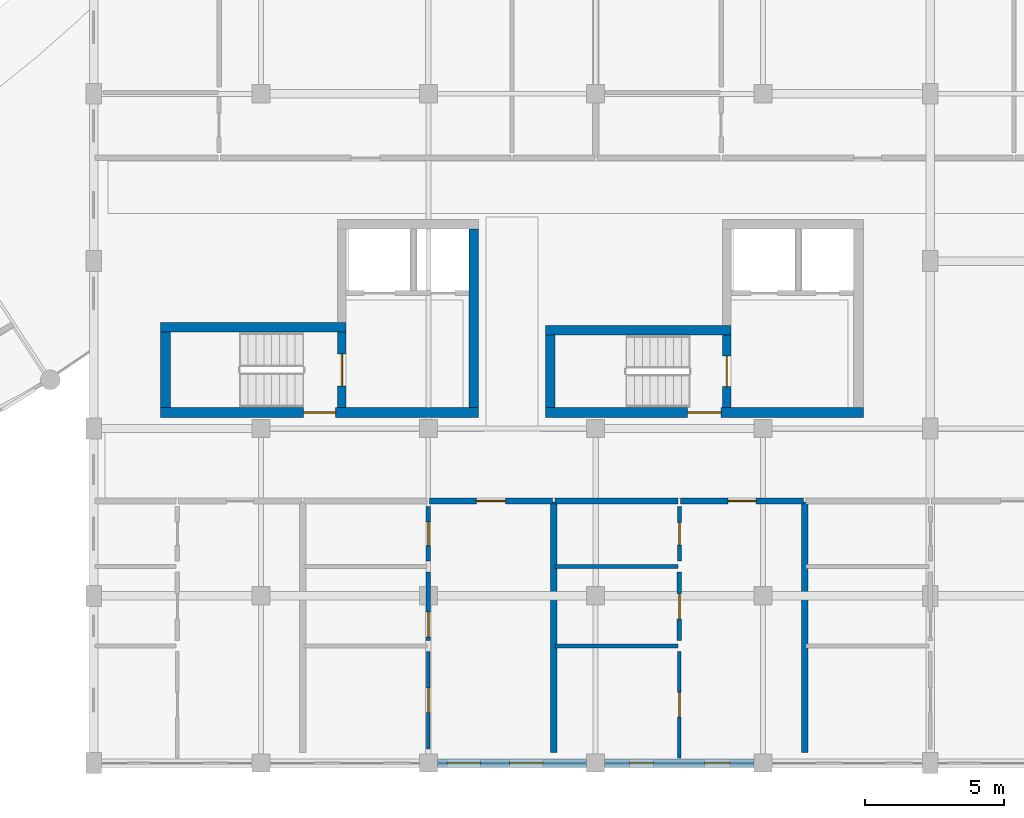
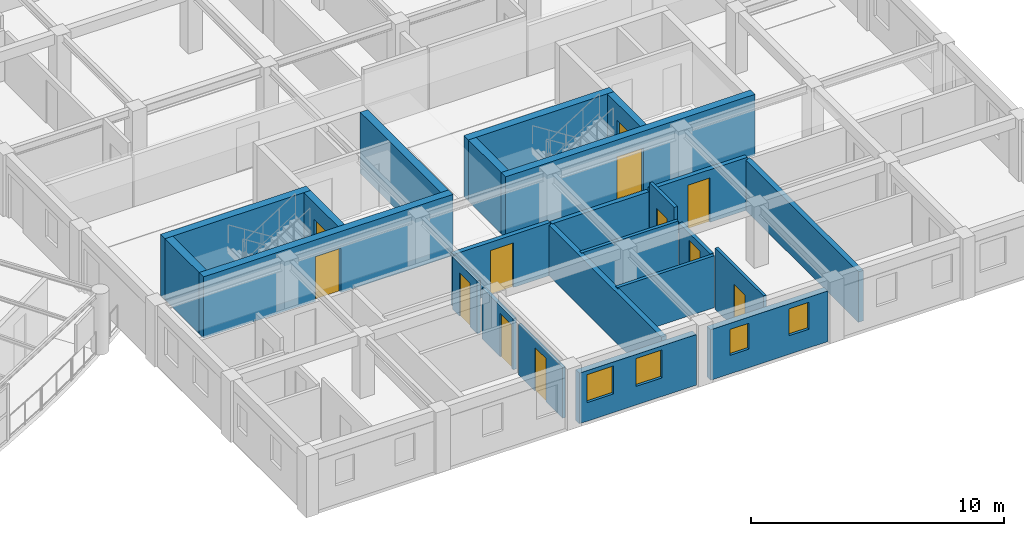
# One storey, part 64 of 100: 24 walls, 12 doors, 4 windows, 16 openings.
"""IFC4 building model written with IfcOpenShell, lengths in metres."""

from ifc_helpers import new_model, si_unit, direction, frame, frame_2d, origin, place, context, subcontext, project, spatial, rectangle, extrude, material, layer, layer_set, type_object, element, fill, save


model = new_model("IFC4")

# Units and contexts
model_context = context("Model", 3, precision=1e-05, world=origin(), true_north=direction((0.0, 1.0)))
body_context = subcontext(model_context, "Body", "Model", "MODEL_VIEW")
ifc_project = project(units=[si_unit("LENGTHUNIT", "METRE"), si_unit("AREAUNIT", "SQUARE_METRE"), si_unit("VOLUMEUNIT", "CUBIC_METRE"), si_unit("PLANEANGLEUNIT", "RADIAN"), si_unit("MASSUNIT", "GRAM", prefix="KILO"), si_unit("POWERUNIT", "WATT"), si_unit("THERMODYNAMICTEMPERATUREUNIT", "KELVIN")], contexts=[model_context])

# Site, building, storey
site_placement = place(None, origin())
site = spatial("IfcSite", under=ifc_project, at=site_placement, CompositionType="ELEMENT")
building_placement = place(site_placement, origin())
building = spatial("IfcBuilding", under=site, at=building_placement, Name="Ruvembo Vaulted Housing Court", CompositionType="ELEMENT")
storey_placement = place(building_placement, frame((0.0, 0.0, 10.89990234375)))
storey = spatial("IfcBuildingStorey", under=building, at=storey_placement, Name="L03", CompositionType="ELEMENT", Elevation=10.89990234375)

# Wall, opening, door
ifc_material_1 = material(Name="Concrete C35/45", Category="concrete")
ifc_layer_1 = layer(ifc_material_1, 0.300048828125, Name="Concrete C35/45")
ifc_layer_set_1 = layer_set([ifc_layer_1], Name="Concrete C35/45")
wall_type_1 = type_object("IfcWallType", Name="WL-CORE-300", PredefinedType="SHEAR", material=ifc_layer_set_1)
wall_1_placement = place(storey_placement, frame((110.89990234375, 12.75, 0.0), z_axis=(0.0, 0.0, 1.0), x_axis=(0.0, 1.0, 0.0)))
wall_1 = element("IfcWall", 1, at=wall_1_placement, inside=storey, type_object=wall_type_1, Name="Core C1 L03 Stair-Lobby Shear Wall", PredefinedType="SHEAR", context=body_context, shape_type="SweptSolid", body=[
    extrude(rectangle(XDim=2.699951171875, YDim=0.300048828125, at=frame_2d((1.35009765625, 0.0))), origin(), (0.0, 0.0, 1.0), 2.960205078125),
])
opening_1_placement = place(wall_1_placement, frame((0.77490234375, 0.0, 0.0)))
opening_1 = element("IfcOpeningElement", 2, at=opening_1_placement, cuts=wall_1, Name="Opening SD1", PredefinedType="OPENING", context=body_context, shape_type="SweptSolid", body=[
    extrude(rectangle(XDim=1.14990234375, YDim=2.14990234375, at=frame_2d((0.574951171875, 1.074951171875))), frame((0.0, 0.159912109375, 0.0), z_axis=(0.0, -1.0, 0.0), x_axis=(1.0, 0.0, 0.0)), (0.0, 0.0, 1.0), 0.320068359375),
])
ifc_material_2 = material(Name="Galvanised Painted Steel", Category="steel")
door_type_1 = type_object("IfcDoorType", Name="DR-STAIR-1150x2150", OperationType="NOTDEFINED", PredefinedType="DOOR", material=ifc_material_2)
door_1_placement = place(opening_1_placement, origin())
door_1 = element("IfcDoor", 3, at=door_1_placement, inside=storey, type_object=door_type_1, Name="Stair ST-C1 L03 Fire Door", OperationType="SINGLE_SWING_RIGHT", OverallHeight=2.14990234375, OverallWidth=1.14990234375, PredefinedType="DOOR", context=body_context, shape_type="SweptSolid", body=[
    extrude(rectangle(XDim=1.14990234375, YDim=2.14990234375, at=frame_2d((0.574951171875, 1.074951171875))), frame((0.0, 0.02490234375, 0.0), z_axis=(0.0, -1.0, 0.0), x_axis=(1.0, 0.0, 0.0)), (0.0, 0.0, 1.0), 0.050048828125),
])
fill(opening_1, door_1)

wall_2_placement = place(storey_placement, frame((124.699951171875, 12.75, 0.0), z_axis=(0.0, 0.0, 1.0), x_axis=(0.0, 1.0, 0.0)))
wall_2 = element("IfcWall", 4, at=wall_2_placement, inside=storey, type_object=wall_type_1, Name="Core C2 L03 Stair-Lobby Shear Wall", PredefinedType="SHEAR", context=body_context, shape_type="SweptSolid", body=[
    extrude(rectangle(XDim=2.60009765625, YDim=0.300048828125, at=frame_2d((1.300048828125, 0.0))), origin(), (0.0, 0.0, 1.0), 2.960205078125),
])
opening_2_placement = place(wall_2_placement, frame((0.75, 0.0, 0.0)))
opening_2 = element("IfcOpeningElement", 5, at=opening_2_placement, cuts=wall_2, Name="Opening SD2", PredefinedType="OPENING", context=body_context, shape_type="SweptSolid", body=[
    extrude(rectangle(XDim=1.10009765625, YDim=2.14990234375, at=frame_2d((0.550048828125, 1.074951171875))), frame((0.0, 0.159912109375, 0.0), z_axis=(0.0, -1.0, 0.0), x_axis=(1.0, 0.0, 0.0)), (0.0, 0.0, 1.0), 0.320068359375),
])
door_type_2 = type_object("IfcDoorType", Name="DR-STAIR-1100x2150", OperationType="NOTDEFINED", PredefinedType="DOOR", material=ifc_material_2)
door_2_placement = place(opening_2_placement, origin())
door_2 = element("IfcDoor", 6, at=door_2_placement, inside=storey, type_object=door_type_2, Name="Stair ST-C2 L03 Fire Door", OperationType="SINGLE_SWING_LEFT", OverallHeight=2.14990234375, OverallWidth=1.10009765625, PredefinedType="DOOR", context=body_context, shape_type="SweptSolid", body=[
    extrude(rectangle(XDim=1.10009765625, YDim=2.14990234375, at=frame_2d((0.550048828125, 1.074951171875))), frame((0.0, 0.02490234375, 0.0), z_axis=(0.0, -1.0, 0.0), x_axis=(1.0, 0.0, 0.0)), (0.0, 0.0, 1.0), 0.050048828125),
])
fill(opening_2, door_2)

ifc_layer_2 = layer(ifc_material_1, 0.35009765625, Name="Concrete C35/45")
ifc_layer_set_2 = layer_set([ifc_layer_2], Name="Concrete C35/45")
wall_type_2 = type_object("IfcWallType", Name="WL-CORE-350", PredefinedType="SHEAR", material=ifc_layer_set_2)
wall_3_placement = place(storey_placement, frame((104.39990234375, 12.574951171875, 0.0), z_axis=(0.0, 0.0, 1.0), x_axis=(1.0, 0.0, 0.0)))
wall_3 = element("IfcWall", 7, at=wall_3_placement, inside=storey, type_object=wall_type_2, Name="Core C1 L03 South Shear Wall", PredefinedType="SHEAR", context=body_context, shape_type="SweptSolid", body=[
    extrude(rectangle(XDim=11.400146484375, YDim=0.35009765625, at=frame_2d((5.7001953125, 0.0))), origin(), (0.0, 0.0, 1.0), 2.960205078125),
])
opening_3_placement = place(wall_3_placement, frame((5.125, 0.0, 0.0)))
opening_3 = element("IfcOpeningElement", 8, at=opening_3_placement, cuts=wall_3, Name="Opening LD0", PredefinedType="OPENING", context=body_context, shape_type="SweptSolid", body=[
    extrude(rectangle(XDim=1.14990234375, YDim=2.14990234375, at=frame_2d((0.574951171875, 1.074951171875))), frame((0.0, 0.18505859375, 0.0), z_axis=(0.0, -1.0, 0.0), x_axis=(1.0, 0.0, 0.0)), (0.0, 0.0, 1.0), 0.3701171875),
])
door_type_3 = type_object("IfcDoorType", Name="DR-LOB-1150x2150", OperationType="NOTDEFINED", PredefinedType="DOOR", material=ifc_material_2)
door_3_placement = place(opening_3_placement, origin())
door_3 = element("IfcDoor", 9, at=door_3_placement, inside=storey, type_object=door_type_3, Name="Core C1 L03 Lobby Fire Door", OperationType="SINGLE_SWING_LEFT", OverallHeight=2.14990234375, OverallWidth=1.14990234375, PredefinedType="DOOR", context=body_context, shape_type="SweptSolid", body=[
    extrude(rectangle(XDim=1.14990234375, YDim=2.14990234375, at=frame_2d((0.574951171875, 1.074951171875))), frame((0.0, 0.02490234375, 0.0), z_axis=(0.0, -1.0, 0.0), x_axis=(1.0, 0.0, 0.0)), (0.0, 0.0, 1.0), 0.050048828125),
])
fill(opening_3, door_3)

# Walls
wall_4_placement = place(storey_placement, frame((111.050048828125, 15.625, 0.0), z_axis=(0.0, 0.0, 1.0), x_axis=(-1.0, 0.0, 0.0)))
element("IfcWall", 10, at=wall_4_placement, inside=storey, type_object=wall_type_2, Name="Core C1 L03 Stair North Shear Wall", PredefinedType="SHEAR", context=body_context, shape_type="SweptSolid", body=[
    extrude(rectangle(XDim=6.650146484375, YDim=0.35009765625, at=frame_2d((3.3251953125, 0.0))), origin(), (0.0, 0.0, 1.0), 2.960205078125),
])
wall_5_placement = place(storey_placement, frame((104.574951171875, 15.449951171875, 0.0), z_axis=(0.0, 0.0, 1.0), x_axis=(0.0, -1.0, 0.0)))
element("IfcWall", 11, at=wall_5_placement, inside=storey, type_object=wall_type_2, Name="Core C1 L03 Stair West Shear Wall", PredefinedType="SHEAR", context=body_context, shape_type="SweptSolid", body=[
    extrude(rectangle(XDim=2.699951171875, YDim=0.35009765625, at=frame_2d((1.35009765625, 0.0))), origin(), (0.0, 0.0, 1.0), 2.960205078125),
])
wall_6_placement = place(storey_placement, frame((115.625, 12.75, 0.0), z_axis=(0.0, 0.0, 1.0), x_axis=(0.0, 1.0, 0.0)))
element("IfcWall", 12, at=wall_6_placement, inside=storey, type_object=wall_type_2, Name="Core C1 L03 East Shear Wall", PredefinedType="SHEAR", context=body_context, shape_type="SweptSolid", body=[
    extrude(rectangle(XDim=6.39990234375, YDim=0.35009765625, at=frame_2d((3.199951171875, 0.0))), origin(), (0.0, 0.0, 1.0), 2.960205078125),
])

# Wall, opening, door
wall_7_placement = place(storey_placement, frame((118.199951171875, 12.574951171875, 0.0), z_axis=(0.0, 0.0, 1.0), x_axis=(1.0, 0.0, 0.0)))
wall_7 = element("IfcWall", 13, at=wall_7_placement, inside=storey, type_object=wall_type_2, Name="Core C2 L03 South Shear Wall", PredefinedType="SHEAR", context=body_context, shape_type="SweptSolid", body=[
    extrude(rectangle(XDim=11.400146484375, YDim=0.35009765625, at=frame_2d((5.7001953125, 0.0))), origin(), (0.0, 0.0, 1.0), 2.960205078125),
])
opening_4_placement = place(wall_7_placement, frame((5.10009765625, 0.0, 0.0)))
opening_4 = element("IfcOpeningElement", 14, at=opening_4_placement, cuts=wall_7, Name="Opening LD3", PredefinedType="OPENING", context=body_context, shape_type="SweptSolid", body=[
    extrude(rectangle(XDim=1.199951171875, YDim=2.14990234375, at=frame_2d((0.60009765625, 1.074951171875))), frame((0.0, 0.18505859375, 0.0), z_axis=(0.0, -1.0, 0.0), x_axis=(1.0, 0.0, 0.0)), (0.0, 0.0, 1.0), 0.3701171875),
])
door_type_4 = type_object("IfcDoorType", Name="DR-LOB-1200x2150", OperationType="NOTDEFINED", PredefinedType="DOOR", material=ifc_material_2)
door_4_placement = place(opening_4_placement, origin())
door_4 = element("IfcDoor", 15, at=door_4_placement, inside=storey, type_object=door_type_4, Name="Core C2 L03 Lobby Fire Door", OperationType="SINGLE_SWING_RIGHT", OverallHeight=2.14990234375, OverallWidth=1.199951171875, PredefinedType="DOOR", context=body_context, shape_type="SweptSolid", body=[
    extrude(rectangle(XDim=1.199951171875, YDim=2.14990234375, at=frame_2d((0.60009765625, 1.074951171875))), frame((0.0, 0.02490234375, 0.0), z_axis=(0.0, -1.0, 0.0), x_axis=(1.0, 0.0, 0.0)), (0.0, 0.0, 1.0), 0.050048828125),
])
fill(opening_4, door_4)

# Walls
wall_8_placement = place(storey_placement, frame((124.85009765625, 15.52490234375, 0.0), z_axis=(0.0, 0.0, 1.0), x_axis=(-1.0, 0.0, 0.0)))
element("IfcWall", 16, at=wall_8_placement, inside=storey, type_object=wall_type_2, Name="Core C2 L03 Stair North Shear Wall", PredefinedType="SHEAR", context=body_context, shape_type="SweptSolid", body=[
    extrude(rectangle(XDim=6.650146484375, YDim=0.35009765625, at=frame_2d((3.3251953125, 0.0))), origin(), (0.0, 0.0, 1.0), 2.960205078125),
])
wall_9_placement = place(storey_placement, frame((118.375, 15.35009765625, 0.0), z_axis=(0.0, 0.0, 1.0), x_axis=(0.0, -1.0, 0.0)))
element("IfcWall", 17, at=wall_9_placement, inside=storey, type_object=wall_type_2, Name="Core C2 L03 Stair West Shear Wall", PredefinedType="SHEAR", context=body_context, shape_type="SweptSolid", body=[
    extrude(rectangle(XDim=2.60009765625, YDim=0.35009765625, at=frame_2d((1.300048828125, 0.0))), origin(), (0.0, 0.0, 1.0), 2.960205078125),
])

# Wall, opening, door
ifc_material_3 = material(Name="Concrete Blockwork 200", Category="masonry")
ifc_layer_3 = layer(ifc_material_3, 0.199951171875, Name="Concrete Blockwork 200")
ifc_layer_set_3 = layer_set([ifc_layer_3], Name="Concrete Blockwork 200")
wall_type_3 = type_object("IfcWallType", Name="WL-CORR-200", PredefinedType="SOLIDWALL", material=ifc_layer_set_3)
wall_10_placement = place(storey_placement, frame((114.0400390625, 9.39990234375, 0.0), z_axis=(0.0, 0.0, 1.0), x_axis=(1.0, 0.0, 0.0)))
wall_10 = element("IfcWall", 18, at=wall_10_placement, inside=storey, type_object=wall_type_3, Name="L03 Flat C-L03-S2 Entrance WL-INT-L03-00885", PredefinedType="SOLIDWALL", context=body_context, shape_type="SweptSolid", body=[
    extrude(rectangle(XDim=4.419921875, YDim=0.199951171875, at=frame_2d((2.2099609375, 0.0))), origin(), (0.0, 0.0, 1.0), 2.548095703125),
])
opening_5_placement = place(wall_10_placement, frame((1.68505859375, 0.0, 0.0)))
opening_5 = element("IfcOpeningElement", 19, at=opening_5_placement, cuts=wall_10, Name="Opening FD3", PredefinedType="OPENING", context=body_context, shape_type="SweptSolid", body=[
    extrude(rectangle(XDim=1.050048828125, YDim=2.14990234375, at=frame_2d((0.52490234375, 1.074951171875))), frame((0.0, 0.10986328125, 0.0), z_axis=(0.0, -1.0, 0.0), x_axis=(1.0, 0.0, 0.0)), (0.0, 0.0, 1.0), 0.219970703125),
])
ifc_material_4 = material(Name="FSC Hardwood and Engineered Timber", Category="wood")
door_type_5 = type_object("IfcDoorType", Name="DR-FLAT-1050x2150", OperationType="NOTDEFINED", PredefinedType="DOOR", material=ifc_material_4)
door_5_placement = place(opening_5_placement, origin())
door_5 = element("IfcDoor", 20, at=door_5_placement, inside=storey, type_object=door_type_5, Name="L03 Flat C-L03-S2 Entrance Door DR-INT-L03-00488", OperationType="SINGLE_SWING_RIGHT", OverallHeight=2.14990234375, OverallWidth=1.050048828125, PredefinedType="DOOR", context=body_context, shape_type="SweptSolid", body=[
    extrude(rectangle(XDim=1.050048828125, YDim=2.14990234375, at=frame_2d((0.52490234375, 1.074951171875))), frame((0.0, 0.02490234375, 0.0), z_axis=(0.0, -1.0, 0.0), x_axis=(1.0, 0.0, 0.0)), (0.0, 0.0, 1.0), 0.050048828125),
])
fill(opening_5, door_5)

# Wall
wall_11_placement = place(storey_placement, frame((118.5400390625, 9.39990234375, 0.0), z_axis=(0.0, 0.0, 1.0), x_axis=(1.0, 0.0, 0.0)))
element("IfcWall", 21, at=wall_11_placement, inside=storey, type_object=wall_type_3, Name="L03 Flat C-L03-S3 Corridor Wall WL-INT-L03-00892", PredefinedType="SOLIDWALL", context=body_context, shape_type="SweptSolid", body=[
    extrude(rectangle(XDim=4.419921875, YDim=0.199951171875, at=frame_2d((2.2099609375, 0.0))), origin(), (0.0, 0.0, 1.0), 2.4580078125),
])

# Wall, opening, door
wall_12_placement = place(storey_placement, frame((123.0400390625, 9.39990234375, 0.0), z_axis=(0.0, 0.0, 1.0), x_axis=(1.0, 0.0, 0.0)))
wall_12 = element("IfcWall", 22, at=wall_12_placement, inside=storey, type_object=wall_type_3, Name="L03 Flat C-L03-S3 Entrance WL-INT-L03-00893", PredefinedType="SOLIDWALL", context=body_context, shape_type="SweptSolid", body=[
    extrude(rectangle(XDim=4.419921875, YDim=0.199951171875, at=frame_2d((2.2099609375, 0.0))), origin(), (0.0, 0.0, 1.0), 2.548095703125),
])
opening_6_placement = place(wall_12_placement, frame((1.7099609375, 0.0, 0.0)))
opening_6 = element("IfcOpeningElement", 23, at=opening_6_placement, cuts=wall_12, Name="Opening FD1", PredefinedType="OPENING", context=body_context, shape_type="SweptSolid", body=[
    extrude(rectangle(XDim=1.0, YDim=2.14990234375, at=frame_2d((0.5, 1.074951171875))), frame((0.0, 0.10986328125, 0.0), z_axis=(0.0, -1.0, 0.0), x_axis=(1.0, 0.0, 0.0)), (0.0, 0.0, 1.0), 0.219970703125),
])
door_type_6 = type_object("IfcDoorType", Name="DR-FLAT-1000x2150", OperationType="NOTDEFINED", PredefinedType="DOOR", material=ifc_material_4)
door_6_placement = place(opening_6_placement, origin())
door_6 = element("IfcDoor", 24, at=door_6_placement, inside=storey, type_object=door_type_6, Name="L03 Flat C-L03-S3 Entrance Door DR-INT-L03-00492", OperationType="SINGLE_SWING_RIGHT", OverallHeight=2.14990234375, OverallWidth=1.0, PredefinedType="DOOR", context=body_context, shape_type="SweptSolid", body=[
    extrude(rectangle(XDim=1.0, YDim=2.14990234375, at=frame_2d((0.5, 1.074951171875))), frame((0.0, 0.02490234375, 0.0), z_axis=(0.0, -1.0, 0.0), x_axis=(1.0, 0.0, 0.0)), (0.0, 0.0, 1.0), 0.050048828125),
])
fill(opening_6, door_6)

# Walls
ifc_material_5 = material(Name="Acoustic Masonry Demising 230", Category="masonry")
ifc_layer_4 = layer(ifc_material_5, 0.22998046875, Name="Acoustic Masonry Demising 230")
ifc_layer_set_4 = layer_set([ifc_layer_4], Name="Acoustic Masonry Demising 230")
wall_type_4 = type_object("IfcWallType", Name="WL-DEM-230", PredefinedType="SOLIDWALL", material=ifc_layer_set_4)
for number, where, z_axis, x_axis, name in (
    (25, (118.5, 0.389892578125, 0.0), (0.0, 0.0, 1.0), (0.0, 1.0, 0.0), "L03 Demising C-L03-S2 WL-INT-L03-00883"),
    (26, (127.5, 0.389892578125, 0.0), (0.0, 0.0, 1.0), (0.0, 1.0, 0.0), "L03 Demising C-L03-S3 WL-INT-L03-00891"),
):
    element("IfcWall", number, at=place(storey_placement, frame(where, z_axis=z_axis, x_axis=x_axis)), inside=storey, type_object=wall_type_4, Name=name, PredefinedType="SOLIDWALL", context=body_context, shape_type="SweptSolid", body=[
        extrude(rectangle(XDim=8.97021484375, YDim=0.22998046875, at=frame_2d((4.485107421875, 0.0))), origin(), (0.0, 0.0, 1.0), 2.442138671875),
    ])

# Wall, openings, windows
ifc_material_6 = material(Name="Rendered Masonry 300", Category="masonry")
ifc_layer_5 = layer(ifc_material_6, 0.300048828125, Name="Rendered Masonry 300")
ifc_layer_set_5 = layer_set([ifc_layer_5], Name="Rendered Masonry 300")
wall_type_5 = type_object("IfcWallType", Name="WL-EXT-300", PredefinedType="STANDARD", material=ifc_layer_set_5)
wall_13_placement = place(storey_placement, frame((114.324951171875, 0.0, 0.0), z_axis=(0.0, 0.0, 1.0), x_axis=(1.0, 0.0, 0.0)))
wall_13 = element("IfcWall", 27, at=wall_13_placement, inside=storey, type_object=wall_type_5, Name="Block C L03 Exterior Wall STREET #3", PredefinedType="STANDARD", context=body_context, shape_type="SweptSolid", body=[
    extrude(rectangle(XDim=5.35009765625, YDim=0.300048828125, at=frame_2d((2.675048828125, 0.0))), origin(), (0.0, 0.0, 1.0), 2.442138671875),
])
opening_7_placement = place(wall_13_placement, frame((0.35009765625, 0.0, 0.89990234375)))
opening_7 = element("IfcOpeningElement", 28, at=opening_7_placement, cuts=wall_13, Name="Opening W12", PredefinedType="OPENING", context=body_context, shape_type="SweptSolid", body=[
    extrude(rectangle(XDim=1.199951171875, YDim=1.35009765625, at=frame_2d((0.60009765625, 0.675048828125))), frame((0.0, 0.159912109375, 0.0), z_axis=(0.0, -1.0, 0.0), x_axis=(1.0, 0.0, 0.0)), (0.0, 0.0, 1.0), 0.320068359375),
])
opening_8_placement = place(wall_13_placement, frame((2.5849609375, 0.0, 0.89990234375)))
opening_8 = element("IfcOpeningElement", 29, at=opening_8_placement, cuts=wall_13, Name="Opening W12", PredefinedType="OPENING", context=body_context, shape_type="SweptSolid", body=[
    extrude(rectangle(XDim=1.199951171875, YDim=1.35009765625, at=frame_2d((0.60009765625, 0.675048828125))), frame((0.0, 0.159912109375, 0.0), z_axis=(0.0, -1.0, 0.0), x_axis=(1.0, 0.0, 0.0)), (0.0, 0.0, 1.0), 0.320068359375),
])
ifc_material_7 = material(Name="Double Solar-Control Glazing in Aluminium Frame", Category="aluminium")
window_type_1 = type_object("IfcWindowType", Name="WIN-1200x1350", PartitioningType="SINGLE_PANEL", PredefinedType="WINDOW", material=ifc_material_7)
window_1_placement = place(opening_7_placement, origin())
window_1 = element("IfcWindow", 30, at=window_1_placement, inside=storey, type_object=window_type_1, Name="Block C L03 Window #1199", OverallHeight=1.35009765625, OverallWidth=1.199951171875, PartitioningType="SINGLE_PANEL", PredefinedType="WINDOW", context=body_context, shape_type="SweptSolid", body=[
    extrude(rectangle(XDim=1.199951171875, YDim=1.35009765625, at=frame_2d((0.60009765625, 0.675048828125))), frame((0.0, 0.030029296875, 0.0), z_axis=(0.0, -1.0, 0.0), x_axis=(1.0, 0.0, 0.0)), (0.0, 0.0, 1.0), 0.06005859375),
])
fill(opening_7, window_1)
window_2_placement = place(opening_8_placement, origin())
window_2 = element("IfcWindow", 31, at=window_2_placement, inside=storey, type_object=window_type_1, Name="Block C L03 Window #1200", OverallHeight=1.35009765625, OverallWidth=1.199951171875, PartitioningType="SINGLE_PANEL", PredefinedType="WINDOW", context=body_context, shape_type="SweptSolid", body=[
    extrude(rectangle(XDim=1.199951171875, YDim=1.35009765625, at=frame_2d((0.60009765625, 0.675048828125))), frame((0.0, 0.030029296875, 0.0), z_axis=(0.0, -1.0, 0.0), x_axis=(1.0, 0.0, 0.0)), (0.0, 0.0, 1.0), 0.06005859375),
])
fill(opening_8, window_2)

wall_14_placement = place(storey_placement, frame((120.324951171875, 0.0, 0.0), z_axis=(0.0, 0.0, 1.0), x_axis=(1.0, 0.0, 0.0)))
wall_14 = element("IfcWall", 32, at=wall_14_placement, inside=storey, type_object=wall_type_5, Name="Block C L03 Exterior Wall STREET #4", PredefinedType="STANDARD", context=body_context, shape_type="SweptSolid", body=[
    extrude(rectangle(XDim=5.35009765625, YDim=0.300048828125, at=frame_2d((2.675048828125, 0.0))), origin(), (0.0, 0.0, 1.0), 2.442138671875),
])
opening_9_placement = place(wall_14_placement, frame((0.892578125, 0.0, 0.89990234375)))
opening_9 = element("IfcOpeningElement", 33, at=opening_9_placement, cuts=wall_14, Name="Opening W03", PredefinedType="OPENING", context=body_context, shape_type="SweptSolid", body=[
    extrude(rectangle(XDim=0.85009765625, YDim=1.25, at=frame_2d((0.425048828125, 0.625))), frame((0.0, 0.159912109375, 0.0), z_axis=(0.0, -1.0, 0.0), x_axis=(1.0, 0.0, 0.0)), (0.0, 0.0, 1.0), 0.320068359375),
])
opening_10_placement = place(wall_14_placement, frame((3.58251953125, 0.0, 0.89990234375)))
opening_10 = element("IfcOpeningElement", 34, at=opening_10_placement, cuts=wall_14, Name="Opening W04", PredefinedType="OPENING", context=body_context, shape_type="SweptSolid", body=[
    extrude(rectangle(XDim=0.89990234375, YDim=1.300048828125, at=frame_2d((0.449951171875, 0.64990234375))), frame((0.0, 0.159912109375, 0.0), z_axis=(0.0, -1.0, 0.0), x_axis=(1.0, 0.0, 0.0)), (0.0, 0.0, 1.0), 0.320068359375),
])
window_type_2 = type_object("IfcWindowType", Name="WIN-0850x1250", PartitioningType="SINGLE_PANEL", PredefinedType="WINDOW", material=ifc_material_7)
window_3_placement = place(opening_9_placement, origin())
window_3 = element("IfcWindow", 35, at=window_3_placement, inside=storey, type_object=window_type_2, Name="Block C L03 Window #1201", OverallHeight=1.25, OverallWidth=0.85009765625, PartitioningType="SINGLE_PANEL", PredefinedType="WINDOW", context=body_context, shape_type="SweptSolid", body=[
    extrude(rectangle(XDim=0.85009765625, YDim=1.25, at=frame_2d((0.425048828125, 0.625))), frame((0.0, 0.030029296875, 0.0), z_axis=(0.0, -1.0, 0.0), x_axis=(1.0, 0.0, 0.0)), (0.0, 0.0, 1.0), 0.06005859375),
])
fill(opening_9, window_3)
window_type_3 = type_object("IfcWindowType", Name="WIN-0900x1300", PartitioningType="SINGLE_PANEL", PredefinedType="WINDOW", material=ifc_material_7)
window_4_placement = place(opening_10_placement, origin())
window_4 = element("IfcWindow", 36, at=window_4_placement, inside=storey, type_object=window_type_3, Name="Block C L03 Window #1202", OverallHeight=1.300048828125, OverallWidth=0.89990234375, PartitioningType="SINGLE_PANEL", PredefinedType="WINDOW", context=body_context, shape_type="SweptSolid", body=[
    extrude(rectangle(XDim=0.89990234375, YDim=1.300048828125, at=frame_2d((0.449951171875, 0.64990234375))), frame((0.0, 0.030029296875, 0.0), z_axis=(0.0, -1.0, 0.0), x_axis=(1.0, 0.0, 0.0)), (0.0, 0.0, 1.0), 0.06005859375),
])
fill(opening_10, window_4)

# Wall, opening, door
ifc_material_8 = material(Name="Plasterboard Stud Partition 125", Category="gypsum")
ifc_layer_6 = layer(ifc_material_8, 0.125, Name="Plasterboard Stud Partition 125")
ifc_layer_set_6 = layer_set([ifc_layer_6], Name="Plasterboard Stud Partition 125")
wall_type_6 = type_object("IfcWallType", Name="WL-PART-125", PredefinedType="PARTITIONING", material=ifc_layer_set_6)
wall_15_placement = place(storey_placement, frame((114.0, 0.510009765625, 0.0), z_axis=(0.0, 0.0, 1.0), x_axis=(0.0, 1.0, 0.0)))
wall_15 = element("IfcWall", 37, at=wall_15_placement, inside=storey, type_object=wall_type_6, Name="L03 Flat C-L03-S2 Bedroom 1 WL-INT-L03-00886", PredefinedType="PARTITIONING", context=body_context, shape_type="SweptSolid", body=[
    extrude(rectangle(XDim=3.5, YDim=0.125, at=frame_2d((1.75, 0.0))), origin(), (0.0, 0.0, 1.0), 2.4580078125),
])
opening_11_placement = place(wall_15_placement, frame((1.31005859375, 0.0, 0.0)))
opening_11 = element("IfcOpeningElement", 38, at=opening_11_placement, cuts=wall_15, Name="Opening ID3", PredefinedType="OPENING", context=body_context, shape_type="SweptSolid", body=[
    extrude(rectangle(XDim=0.8798828125, YDim=2.10009765625, at=frame_2d((0.43994140625, 1.050048828125))), frame((0.0, 0.072509765625, 0.0), z_axis=(0.0, -1.0, 0.0), x_axis=(1.0, 0.0, 0.0)), (0.0, 0.0, 1.0), 0.14501953125),
])
door_type_7 = type_object("IfcDoorType", Name="DR-ROOM-0880x2100", OperationType="NOTDEFINED", PredefinedType="DOOR", material=ifc_material_4)
door_7_placement = place(opening_11_placement, origin())
door_7 = element("IfcDoor", 39, at=door_7_placement, inside=storey, type_object=door_type_7, Name="L03 Flat C-L03-S2 Bedroom 1 Door DR-INT-L03-00489", OperationType="SINGLE_SWING_LEFT", OverallHeight=2.10009765625, OverallWidth=0.8798828125, PredefinedType="DOOR", context=body_context, shape_type="SweptSolid", body=[
    extrude(rectangle(XDim=0.8798828125, YDim=2.10009765625, at=frame_2d((0.43994140625, 1.050048828125))), frame((0.0, 0.02490234375, 0.0), z_axis=(0.0, -1.0, 0.0), x_axis=(1.0, 0.0, 0.0)), (0.0, 0.0, 1.0), 0.050048828125),
])
fill(opening_11, door_7)

ifc_material_9 = material(Name="Acoustic Stud Partition 135", Category="gypsum")
ifc_layer_7 = layer(ifc_material_9, 0.135009765625, Name="Acoustic Stud Partition 135")
ifc_layer_set_7 = layer_set([ifc_layer_7], Name="Acoustic Stud Partition 135")
wall_type_7 = type_object("IfcWallType", Name="WL-PART-135", PredefinedType="PARTITIONING", material=ifc_layer_set_7)
wall_16_placement = place(storey_placement, frame((123.0, 0.18994140625, 0.0), z_axis=(0.0, 0.0, 1.0), x_axis=(0.0, 1.0, 0.0)))
wall_16 = element("IfcWall", 40, at=wall_16_placement, inside=storey, type_object=wall_type_7, Name="L03 Flat C-L03-S3 Bedroom 1 WL-INT-L03-00894", PredefinedType="PARTITIONING", context=body_context, shape_type="SweptSolid", body=[
    extrude(rectangle(XDim=3.820068359375, YDim=0.135009765625, at=frame_2d((1.91015625, 0.0))), origin(), (0.0, 0.0, 1.0), 2.960205078125),
])
opening_12_placement = place(wall_16_placement, frame((1.469970703125, 0.0, 0.0)))
opening_12 = element("IfcOpeningElement", 41, at=opening_12_placement, cuts=wall_16, Name="Opening ID3", PredefinedType="OPENING", context=body_context, shape_type="SweptSolid", body=[
    extrude(rectangle(XDim=0.8798828125, YDim=2.10009765625, at=frame_2d((0.43994140625, 1.050048828125))), frame((0.0, 0.077392578125, 0.0), z_axis=(0.0, -1.0, 0.0), x_axis=(1.0, 0.0, 0.0)), (0.0, 0.0, 1.0), 0.155029296875),
])
door_8_placement = place(opening_12_placement, origin())
door_8 = element("IfcDoor", 42, at=door_8_placement, inside=storey, type_object=door_type_7, Name="L03 Flat C-L03-S3 Bedroom 1 Door DR-INT-L03-00493", OperationType="SINGLE_SWING_LEFT", OverallHeight=2.10009765625, OverallWidth=0.8798828125, PredefinedType="DOOR", context=body_context, shape_type="SweptSolid", body=[
    extrude(rectangle(XDim=0.8798828125, YDim=2.10009765625, at=frame_2d((0.43994140625, 1.050048828125))), frame((0.0, 0.02490234375, 0.0), z_axis=(0.0, -1.0, 0.0), x_axis=(1.0, 0.0, 0.0)), (0.0, 0.0, 1.0), 0.050048828125),
])
fill(opening_12, door_8)

ifc_material_10 = material(Name="Moisture-Resistant Wet Partition 150", Category="gypsum")
ifc_layer_8 = layer(ifc_material_10, 0.14990234375, Name="Moisture-Resistant Wet Partition 150")
ifc_layer_set_8 = layer_set([ifc_layer_8], Name="Moisture-Resistant Wet Partition 150")
wall_type_8 = type_object("IfcWallType", Name="WL-PART-150", PredefinedType="PARTITIONING", material=ifc_layer_set_8)
wall_17_placement = place(storey_placement, frame((114.0, 7.239990234375, 0.0), z_axis=(0.0, 0.0, 1.0), x_axis=(0.0, 1.0, 0.0)))
wall_17 = element("IfcWall", 43, at=wall_17_placement, inside=storey, type_object=wall_type_8, Name="L03 Flat C-L03-S2 Bathroom WL-INT-L03-00888", PredefinedType="PARTITIONING", context=body_context, shape_type="SweptSolid", body=[
    extrude(rectangle(XDim=1.969970703125, YDim=0.14990234375, at=frame_2d((0.98486328125, 0.0))), origin(), (0.0, 0.0, 1.0), 2.548095703125),
])
opening_13_placement = place(wall_17_placement, frame((0.56005859375, 0.0, 0.0)))
opening_13 = element("IfcOpeningElement", 44, at=opening_13_placement, cuts=wall_17, Name="Opening ID2", PredefinedType="OPENING", context=body_context, shape_type="SweptSolid", body=[
    extrude(rectangle(XDim=0.85009765625, YDim=2.10009765625, at=frame_2d((0.425048828125, 1.050048828125))), frame((0.0, 0.0849609375, 0.0), z_axis=(0.0, -1.0, 0.0), x_axis=(1.0, 0.0, 0.0)), (0.0, 0.0, 1.0), 0.169921875),
])
door_type_8 = type_object("IfcDoorType", Name="DR-WET-0850x2100", OperationType="NOTDEFINED", PredefinedType="DOOR", material=ifc_material_4)
door_9_placement = place(opening_13_placement, origin())
door_9 = element("IfcDoor", 45, at=door_9_placement, inside=storey, type_object=door_type_8, Name="L03 Flat C-L03-S2 Bathroom Door DR-INT-L03-00491", OperationType="SINGLE_SWING_LEFT", OverallHeight=2.10009765625, OverallWidth=0.85009765625, PredefinedType="DOOR", context=body_context, shape_type="SweptSolid", body=[
    extrude(rectangle(XDim=0.85009765625, YDim=2.10009765625, at=frame_2d((0.425048828125, 1.050048828125))), frame((0.0, 0.02490234375, 0.0), z_axis=(0.0, -1.0, 0.0), x_axis=(1.0, 0.0, 0.0)), (0.0, 0.0, 1.0), 0.050048828125),
])
fill(opening_13, door_9)

wall_18_placement = place(storey_placement, frame((123.0, 7.239990234375, 0.0), z_axis=(0.0, 0.0, 1.0), x_axis=(0.0, 1.0, 0.0)))
wall_18 = element("IfcWall", 46, at=wall_18_placement, inside=storey, type_object=wall_type_8, Name="L03 Flat C-L03-S3 Bathroom WL-INT-L03-00896", PredefinedType="PARTITIONING", context=body_context, shape_type="SweptSolid", body=[
    extrude(rectangle(XDim=1.969970703125, YDim=0.14990234375, at=frame_2d((0.98486328125, 0.0))), origin(), (0.0, 0.0, 1.0), 2.960205078125),
])
opening_14_placement = place(wall_18_placement, frame((0.574951171875, 0.0, 0.0)))
opening_14 = element("IfcOpeningElement", 47, at=opening_14_placement, cuts=wall_18, Name="Opening ID4", PredefinedType="OPENING", context=body_context, shape_type="SweptSolid", body=[
    extrude(rectangle(XDim=0.820068359375, YDim=2.080078125, at=frame_2d((0.41015625, 1.0400390625))), frame((0.0, 0.0849609375, 0.0), z_axis=(0.0, -1.0, 0.0), x_axis=(1.0, 0.0, 0.0)), (0.0, 0.0, 1.0), 0.169921875),
])
door_type_9 = type_object("IfcDoorType", Name="DR-WET-0820x2080", OperationType="NOTDEFINED", PredefinedType="DOOR", material=ifc_material_4)
door_10_placement = place(opening_14_placement, origin())
door_10 = element("IfcDoor", 48, at=door_10_placement, inside=storey, type_object=door_type_9, Name="L03 Flat C-L03-S3 Bathroom Door DR-INT-L03-00495", OperationType="SINGLE_SWING_LEFT", OverallHeight=2.080078125, OverallWidth=0.820068359375, PredefinedType="DOOR", context=body_context, shape_type="SweptSolid", body=[
    extrude(rectangle(XDim=0.820068359375, YDim=2.080078125, at=frame_2d((0.41015625, 1.0400390625))), frame((0.0, 0.02490234375, 0.0), z_axis=(0.0, -1.0, 0.0), x_axis=(1.0, 0.0, 0.0)), (0.0, 0.0, 1.0), 0.050048828125),
])
fill(opening_14, door_10)

# Walls
wall_19_placement = place(storey_placement, frame((118.5400390625, 4.199951171875, 0.0), z_axis=(0.0, 0.0, 1.0), x_axis=(1.0, 0.0, 0.0)))
element("IfcWall", 49, at=wall_19_placement, inside=storey, type_object=wall_type_8, Name="L03 Flat C-L03-S3 Wet Wall 1 WL-INT-L03-00897", PredefinedType="PARTITIONING", context=body_context, shape_type="SweptSolid", body=[
    extrude(rectangle(XDim=4.419921875, YDim=0.14990234375, at=frame_2d((2.2099609375, 0.0))), origin(), (0.0, 0.0, 1.0), 2.508056640625),
])
wall_20_placement = place(storey_placement, frame((118.5400390625, 7.050048828125, 0.0), z_axis=(0.0, 0.0, 1.0), x_axis=(1.0, 0.0, 0.0)))
element("IfcWall", 50, at=wall_20_placement, inside=storey, type_object=wall_type_8, Name="L03 Flat C-L03-S3 Wet Wall 2 WL-INT-L03-00898", PredefinedType="PARTITIONING", context=body_context, shape_type="SweptSolid", body=[
    extrude(rectangle(XDim=4.419921875, YDim=0.14990234375, at=frame_2d((2.2099609375, 0.0))), origin(), (0.0, 0.0, 1.0), 2.4580078125),
])

# Wall, opening, door
ifc_material_11 = material(Name="Acoustic Service Chase Wall 160", Category="gypsum")
ifc_layer_9 = layer(ifc_material_11, 0.159912109375, Name="Acoustic Service Chase Wall 160")
ifc_layer_set_9 = layer_set([ifc_layer_9], Name="Acoustic Service Chase Wall 160")
wall_type_9 = type_object("IfcWallType", Name="WL-PLUMB-160", PredefinedType="PLUMBINGWALL", material=ifc_layer_set_9)
wall_21_placement = place(storey_placement, frame((114.0, 4.389892578125, 0.0), z_axis=(0.0, 0.0, 1.0), x_axis=(0.0, 1.0, 0.0)))
wall_21 = element("IfcWall", 51, at=wall_21_placement, inside=storey, type_object=wall_type_9, Name="L03 Flat C-L03-S2 Kitchen WL-INT-L03-00887", PredefinedType="PLUMBINGWALL", context=body_context, shape_type="SweptSolid", body=[
    extrude(rectangle(XDim=2.47021484375, YDim=0.159912109375, at=frame_2d((1.235107421875, 0.0))), origin(), (0.0, 0.0, 1.0), 2.4580078125),
])
opening_15_placement = place(wall_21_placement, frame((0.1298828125, 0.0, 0.0)))
opening_15 = element("IfcOpeningElement", 52, at=opening_15_placement, cuts=wall_21, Name="Opening ID1", PredefinedType="OPENING", context=body_context, shape_type="SweptSolid", body=[
    extrude(rectangle(XDim=0.89990234375, YDim=2.10009765625, at=frame_2d((0.449951171875, 1.050048828125))), frame((0.0, 0.08984375, 0.0), z_axis=(0.0, -1.0, 0.0), x_axis=(1.0, 0.0, 0.0)), (0.0, 0.0, 1.0), 0.179931640625),
])
door_type_10 = type_object("IfcDoorType", Name="DR-ROOM-0900x2100", OperationType="NOTDEFINED", PredefinedType="DOOR", material=ifc_material_4)
door_11_placement = place(opening_15_placement, origin())
door_11 = element("IfcDoor", 53, at=door_11_placement, inside=storey, type_object=door_type_10, Name="L03 Flat C-L03-S2 Kitchen Door DR-INT-L03-00490", OperationType="SINGLE_SWING_RIGHT", OverallHeight=2.10009765625, OverallWidth=0.89990234375, PredefinedType="DOOR", context=body_context, shape_type="SweptSolid", body=[
    extrude(rectangle(XDim=0.89990234375, YDim=2.10009765625, at=frame_2d((0.449951171875, 1.050048828125))), frame((0.0, 0.02490234375, 0.0), z_axis=(0.0, -1.0, 0.0), x_axis=(1.0, 0.0, 0.0)), (0.0, 0.0, 1.0), 0.050048828125),
])
fill(opening_15, door_11)

wall_22_placement = place(storey_placement, frame((123.0, 4.389892578125, 0.0), z_axis=(0.0, 0.0, 1.0), x_axis=(0.0, 1.0, 0.0)))
wall_22 = element("IfcWall", 54, at=wall_22_placement, inside=storey, type_object=wall_type_9, Name="L03 Flat C-L03-S3 Kitchen WL-INT-L03-00895", PredefinedType="PLUMBINGWALL", context=body_context, shape_type="SweptSolid", body=[
    extrude(rectangle(XDim=2.47021484375, YDim=0.159912109375, at=frame_2d((1.235107421875, 0.0))), origin(), (0.0, 0.0, 1.0), 2.442138671875),
])
opening_16_placement = place(wall_22_placement, frame((0.784912109375, 0.0, 0.0)))
opening_16 = element("IfcOpeningElement", 55, at=opening_16_placement, cuts=wall_22, Name="Opening ID1", PredefinedType="OPENING", context=body_context, shape_type="SweptSolid", body=[
    extrude(rectangle(XDim=0.89990234375, YDim=2.10009765625, at=frame_2d((0.449951171875, 1.050048828125))), frame((0.0, 0.08984375, 0.0), z_axis=(0.0, -1.0, 0.0), x_axis=(1.0, 0.0, 0.0)), (0.0, 0.0, 1.0), 0.179931640625),
])
door_12_placement = place(opening_16_placement, origin())
door_12 = element("IfcDoor", 56, at=door_12_placement, inside=storey, type_object=door_type_10, Name="L03 Flat C-L03-S3 Kitchen Door DR-INT-L03-00494", OperationType="SINGLE_SWING_RIGHT", OverallHeight=2.10009765625, OverallWidth=0.89990234375, PredefinedType="DOOR", context=body_context, shape_type="SweptSolid", body=[
    extrude(rectangle(XDim=0.89990234375, YDim=2.10009765625, at=frame_2d((0.449951171875, 1.050048828125))), frame((0.0, 0.02490234375, 0.0), z_axis=(0.0, -1.0, 0.0), x_axis=(1.0, 0.0, 0.0)), (0.0, 0.0, 1.0), 0.050048828125),
])
fill(opening_16, door_12)

save(model, "model.ifc")
